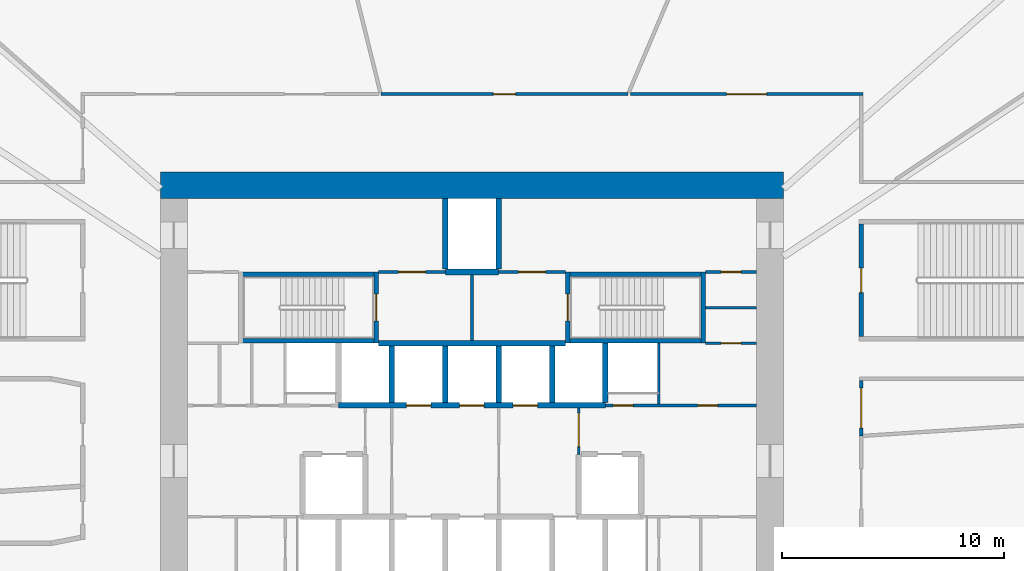
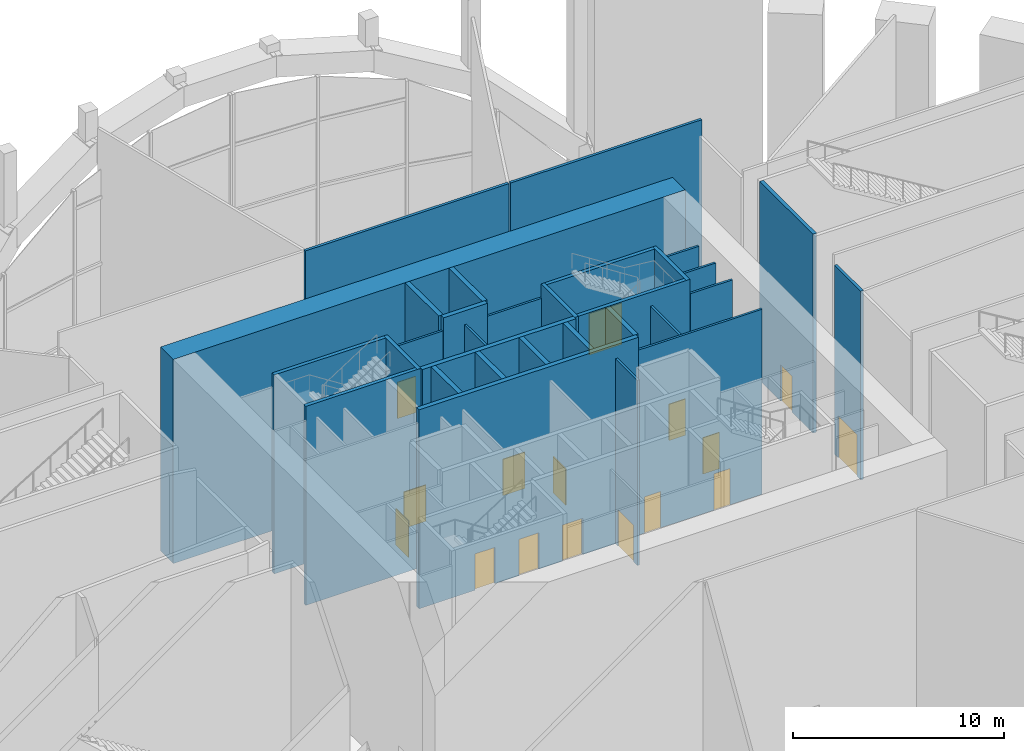
# One storey, part 10 of 21: 31 walls, 16 doors, 16 openings.
"""IFC4 building model written with IfcOpenShell, lengths in metres."""

from ifc_helpers import new_model, si_unit, direction, frame, frame_2d, origin, place, context, subcontext, project, spatial, rectangle, extrude, source, transform, mapped, material, layer, layer_set, type_object, element, fill, save


model = new_model("IFC4")

# Units and contexts
model_context = context("Model", 3, precision=1e-05, world=origin(), true_north=direction((0.0, 1.0)))
body_context = subcontext(model_context, "Body", "Model", "MODEL_VIEW")
ifc_project = project(units=[si_unit("LENGTHUNIT", "METRE"), si_unit("AREAUNIT", "SQUARE_METRE"), si_unit("VOLUMEUNIT", "CUBIC_METRE"), si_unit("PLANEANGLEUNIT", "RADIAN"), si_unit("MASSUNIT", "GRAM", prefix="KILO")], contexts=[model_context])

# Site, building, storey
site_placement = place(None, origin())
site = spatial("IfcSite", under=ifc_project, at=site_placement, CompositionType="ELEMENT")
building_placement = place(site_placement, origin())
building = spatial("IfcBuilding", under=site, at=building_placement, Name="Embergate Tower", CompositionType="ELEMENT")
storey_placement = place(building_placement, frame((0.0, 0.0, 12.0)))
storey = spatial("IfcBuildingStorey", under=building, at=storey_placement, Name="L01", CompositionType="ELEMENT", Elevation=12.0)

# Walls
ifc_material_1 = material(Name="Concrete C80", Category="concrete")
ifc_layer_1 = layer(ifc_material_1, 1.199951171875)
ifc_layer_set_1 = layer_set([ifc_layer_1], Name="Concrete C80")
wall_type_1 = type_object("IfcWallType", Name="Core outer wall C80 1200", PredefinedType="SHEAR", material=ifc_layer_set_1)
shared_shape_1 = source(origin(), body_context, "Body", "SweptSolid", [
    extrude(rectangle(XDim=28.0, YDim=1.199951171875, at=frame_2d((14.0, 0.0))), origin(), (0.0, 0.0, 1.0), 11.800048828125),
])
wall_1_placement = place(storey_placement, frame((-14.0, 12.39990234375, -0.300048828125), z_axis=(0.0, 0.0, 1.0), x_axis=(1.0, 0.0, 0.0)))
element("IfcWall", 1, at=wall_1_placement, inside=storey, type_object=wall_type_1, Name="CW-L01-N", PredefinedType="SHEAR", context=body_context, shape_type="MappedRepresentation", body=[
    mapped(shared_shape_1, transform((0.0, 0.0, 0.0))),
])
ifc_material_2 = material(Name="Concrete C50", Category="concrete")
ifc_layer_2 = layer(ifc_material_2, 0.25)
ifc_layer_set_2 = layer_set([ifc_layer_2], Name="Concrete C50")
wall_type_2 = type_object("IfcWallType", Name="Hoistway wall reinforced concrete 250", PredefinedType="SHEAR", material=ifc_layer_set_2)
shared_shape_2 = source(origin(), body_context, "Body", "SweptSolid", [
    extrude(rectangle(XDim=2.675048828125, YDim=0.25, at=frame_2d((1.33740234375, 0.0))), origin(), (0.0, 0.0, 1.0), 11.5),
])
wall_2_placement = place(storey_placement, frame((6.0, 2.625, 0.0), z_axis=(0.0, 0.0, 1.0), x_axis=(0.0, 1.0, 0.0)))
element("IfcWall", 2, at=wall_2_placement, inside=storey, type_object=wall_type_2, Name="HW-1 wall", PredefinedType="SHEAR", context=body_context, shape_type="MappedRepresentation", body=[
    mapped(shared_shape_2, transform((0.0, 0.0, 0.0))),
])

# Wall, openings, doors
ifc_material_3 = material(Name="Core partition blockwork 120")
ifc_layer_3 = layer(ifc_material_3, 0.1201171875)
ifc_layer_set_3 = layer_set([ifc_layer_3], Name="Core partition blockwork 120")
wall_type_3 = type_object("IfcWallType", Name="Core partition blockwork 120", PredefinedType="PARTITIONING", material=ifc_layer_set_3)
shared_shape_3 = source(origin(), body_context, "Body", "SweptSolid", [
    extrude(rectangle(XDim=6.800048828125, YDim=0.1201171875, at=frame_2d((3.39990234375, 0.0))), origin(), (0.0, 0.0, 1.0), 10.699951171875),
])
wall_3_placement = place(storey_placement, frame((6.0, 2.5, 0.0), z_axis=(0.0, 0.0, 1.0), x_axis=(1.0, 0.0, 0.0)))
wall_3 = element("IfcWall", 3, at=wall_3_placement, inside=storey, type_object=wall_type_3, Name="IP-3 wall", PredefinedType="PARTITIONING", context=body_context, shape_type="MappedRepresentation", body=[
    mapped(shared_shape_3, transform((0.0, 0.0, 0.0))),
])
shared_shape_4 = source(origin(), body_context, "Body", "SweptSolid", [
    extrude(rectangle(XDim=0.89990234375, YDim=2.10009765625, at=frame_2d((0.449951171875, 1.050048828125))), frame((0.0, 0.070068359375, 0.0), z_axis=(0.0, -1.0, 0.0), x_axis=(1.0, 0.0, 0.0)), (0.0, 0.0, 1.0), 0.14013671875),
])
opening_1_placement = place(wall_3_placement, frame((0.35009765625, 0.0, 0.0)))
opening_1 = element("IfcOpeningElement", 4, at=opening_1_placement, cuts=wall_3, Name="Opening ID-1", PredefinedType="OPENING", context=body_context, shape_type="MappedRepresentation", body=[
    mapped(shared_shape_4, transform((0.0, 0.0, 0.0))),
])
opening_2_placement = place(wall_3_placement, frame((4.14990234375, 0.0, 0.0)))
opening_2 = element("IfcOpeningElement", 5, at=opening_2_placement, cuts=wall_3, Name="Opening ID-1", PredefinedType="OPENING", context=body_context, shape_type="MappedRepresentation", body=[
    mapped(shared_shape_4, transform((0.0, 0.0, 0.0))),
])
ifc_material_4 = material(Name="Interior door 900")
door_type_1 = type_object("IfcDoorType", Name="Interior door 900", OperationType="SINGLE_SWING_LEFT", PredefinedType="DOOR", material=ifc_material_4)
shared_shape_5 = source(origin(), body_context, "Body", "SweptSolid", [
    extrude(rectangle(XDim=0.89990234375, YDim=2.10009765625, at=frame_2d((0.449951171875, 1.050048828125))), frame((0.0, 0.02490234375, 0.0), z_axis=(0.0, -1.0, 0.0), x_axis=(1.0, 0.0, 0.0)), (0.0, 0.0, 1.0), 0.050048828125),
])
door_1_placement = place(opening_1_placement, origin())
door_1 = element("IfcDoor", 6, at=door_1_placement, inside=storey, type_object=door_type_1, Name="ID-1 door", OperationType="SINGLE_SWING_RIGHT", OverallHeight=2.10009765625, OverallWidth=0.89990234375, PredefinedType="DOOR", context=body_context, shape_type="MappedRepresentation", body=[
    mapped(shared_shape_5, transform((0.0, 0.0, 0.0))),
])
fill(opening_1, door_1)
door_2_placement = place(opening_2_placement, origin())
door_2 = element("IfcDoor", 7, at=door_2_placement, inside=storey, type_object=door_type_1, Name="ID-1 door", OperationType="SINGLE_SWING_LEFT", OverallHeight=2.10009765625, OverallWidth=0.89990234375, PredefinedType="DOOR", context=body_context, shape_type="MappedRepresentation", body=[
    mapped(shared_shape_5, transform((0.0, 0.0, 0.0))),
])
fill(opening_2, door_2)

# Walls
ifc_layer_4 = layer(ifc_material_2, 0.199951171875)
ifc_layer_set_4 = layer_set([ifc_layer_4], Name="Concrete C50")
wall_type_4 = type_object("IfcWallType", Name="Stair enclosure wall reinforced concrete 250", PredefinedType="SHEAR", material=ifc_layer_set_4)
shared_shape_6 = source(origin(), body_context, "Body", "SweptSolid", [
    extrude(rectangle(XDim=6.300048828125, YDim=0.199951171875, at=frame_2d((3.14990234375, 0.0))), origin(), (0.0, 0.0, 1.0), 11.5),
])
for number, where, z_axis, x_axis, name in (
    (8, (-4.199951171875, 5.39990234375, 0.0), (0.0, 0.0, 1.0), (-1.0, 0.0, 0.0), "SE-1 wall"),
    (9, (10.5, 5.39990234375, 0.0), (0.0, 0.0, 1.0), (-1.0, 0.0, 0.0), "SE-1 wall"),
    (10, (-4.199951171875, 8.39990234375, 0.0), (0.0, 0.0, 1.0), (-1.0, 0.0, 0.0), "SE-1 wall"),
    (11, (10.5, 8.39990234375, 0.0), (0.0, 0.0, 1.0), (-1.0, 0.0, 0.0), "SE-1 wall"),
):
    element("IfcWall", number, at=place(storey_placement, frame(where, z_axis=z_axis, x_axis=x_axis)), inside=storey, type_object=wall_type_4, Name=name, PredefinedType="SHEAR", context=body_context, shape_type="MappedRepresentation", body=[
        mapped(shared_shape_6, transform((0.0, 0.0, 0.0))),
    ])
shared_shape_7 = source(origin(), body_context, "Body", "SweptSolid", [
    extrude(rectangle(XDim=2.739990234375, YDim=0.1201171875, at=frame_2d((1.3701171875, 0.0))), origin(), (0.0, 0.0, 1.0), 10.699951171875),
])
wall_4_placement = place(storey_placement, frame((8.39990234375, 2.56005859375, 0.0), z_axis=(0.0, 0.0, 1.0), x_axis=(0.0, 1.0, 0.0)))
element("IfcWall", 12, at=wall_4_placement, inside=storey, type_object=wall_type_3, Name="IP-3 wall", PredefinedType="PARTITIONING", context=body_context, shape_type="MappedRepresentation", body=[
    mapped(shared_shape_7, transform((0.0, 0.0, 0.0))),
])
shared_shape_8 = source(origin(), body_context, "Body", "SweptSolid", [
    extrude(rectangle(XDim=2.550048828125, YDim=0.25, at=frame_2d((1.27490234375, 0.0))), origin(), (0.0, 0.0, 1.0), 11.5),
])
for number, where, z_axis, x_axis, name in (
    (13, (-3.60009765625, 2.625, 0.0), (0.0, 0.0, 1.0), (0.0, 1.0, 0.0), "HW-1 wall"),
    (14, (-1.199951171875, 2.625, 0.0), (0.0, 0.0, 1.0), (0.0, 1.0, 0.0), "HW-1 wall"),
    (15, (1.199951171875, 2.625, 0.0), (0.0, 0.0, 1.0), (0.0, 1.0, 0.0), "HW-1 wall"),
    (16, (3.60009765625, 2.625, 0.0), (0.0, 0.0, 1.0), (0.0, 1.0, 0.0), "HW-1 wall"),
):
    element("IfcWall", number, at=place(storey_placement, frame(where, z_axis=z_axis, x_axis=x_axis)), inside=storey, type_object=wall_type_2, Name=name, PredefinedType="SHEAR", context=body_context, shape_type="MappedRepresentation", body=[
        mapped(shared_shape_8, transform((0.0, 0.0, 0.0))),
    ])

# Wall, openings, doors
shared_shape_9 = source(origin(), body_context, "Body", "SweptSolid", [
    extrude(rectangle(XDim=12.0, YDim=0.25, at=frame_2d((6.0, 0.0))), origin(), (0.0, 0.0, 1.0), 11.5),
])
wall_5_placement = place(storey_placement, frame((-6.0, 2.5, 0.0), z_axis=(0.0, 0.0, 1.0), x_axis=(1.0, 0.0, 0.0)))
wall_5 = element("IfcWall", 17, at=wall_5_placement, inside=storey, type_object=wall_type_2, Name="HW-1 wall", PredefinedType="SHEAR", context=body_context, shape_type="MappedRepresentation", body=[
    mapped(shared_shape_9, transform((0.0, 0.0, 0.0))),
])
shared_shape_10 = source(origin(), body_context, "Body", "SweptSolid", [
    extrude(rectangle(XDim=1.10009765625, YDim=2.10009765625, at=frame_2d((0.550048828125, 1.050048828125))), frame((0.0, 0.135009765625, 0.0), z_axis=(0.0, -1.0, 0.0), x_axis=(1.0, 0.0, 0.0)), (0.0, 0.0, 1.0), 0.27001953125),
])
opening_3_placement = place(wall_5_placement, frame((3.050048828125, 0.0, 0.0)))
opening_3 = element("IfcOpeningElement", 18, at=opening_3_placement, cuts=wall_5, Name="Opening LD", PredefinedType="OPENING", context=body_context, shape_type="MappedRepresentation", body=[
    mapped(shared_shape_10, transform((0.0, 0.0, 0.0))),
])
opening_4_placement = place(wall_5_placement, frame((5.449951171875, 0.0, 0.0)))
opening_4 = element("IfcOpeningElement", 19, at=opening_4_placement, cuts=wall_5, Name="Opening LD", PredefinedType="OPENING", context=body_context, shape_type="MappedRepresentation", body=[
    mapped(shared_shape_10, transform((0.0, 0.0, 0.0))),
])
opening_5_placement = place(wall_5_placement, frame((7.85009765625, 0.0, 0.0)))
opening_5 = element("IfcOpeningElement", 20, at=opening_5_placement, cuts=wall_5, Name="Opening LD", PredefinedType="OPENING", context=body_context, shape_type="MappedRepresentation", body=[
    mapped(shared_shape_10, transform((0.0, 0.0, 0.0))),
])
ifc_material_5 = material(Name="Landing door sliding 1100")
door_type_2 = type_object("IfcDoorType", Name="Landing door sliding 1100", OperationType="SLIDING_TO_LEFT", PredefinedType="DOOR", material=ifc_material_5)
shared_shape_11 = source(origin(), body_context, "Body", "SweptSolid", [
    extrude(rectangle(XDim=1.10009765625, YDim=2.10009765625, at=frame_2d((0.550048828125, 1.050048828125))), frame((0.0, 0.02490234375, 0.0), z_axis=(0.0, -1.0, 0.0), x_axis=(1.0, 0.0, 0.0)), (0.0, 0.0, 1.0), 0.050048828125),
])
door_3_placement = place(opening_3_placement, origin())
door_3 = element("IfcDoor", 21, at=door_3_placement, inside=storey, type_object=door_type_2, Name="LD door", OperationType="SLIDING_TO_RIGHT", OverallHeight=2.10009765625, OverallWidth=1.10009765625, PredefinedType="DOOR", context=body_context, shape_type="MappedRepresentation", body=[
    mapped(shared_shape_11, transform((0.0, 0.0, 0.0))),
])
fill(opening_3, door_3)
door_4_placement = place(opening_4_placement, origin())
door_4 = element("IfcDoor", 22, at=door_4_placement, inside=storey, type_object=door_type_2, Name="LD door", OperationType="SLIDING_TO_RIGHT", OverallHeight=2.10009765625, OverallWidth=1.10009765625, PredefinedType="DOOR", context=body_context, shape_type="MappedRepresentation", body=[
    mapped(shared_shape_11, transform((0.0, 0.0, 0.0))),
])
fill(opening_4, door_4)
door_5_placement = place(opening_5_placement, origin())
door_5 = element("IfcDoor", 23, at=door_5_placement, inside=storey, type_object=door_type_2, Name="LD door", OperationType="SLIDING_TO_LEFT", OverallHeight=2.10009765625, OverallWidth=1.10009765625, PredefinedType="DOOR", context=body_context, shape_type="MappedRepresentation", body=[
    mapped(shared_shape_11, transform((0.0, 0.0, 0.0))),
])
fill(opening_5, door_5)

# Wall
shared_shape_12 = source(origin(), body_context, "Body", "SweptSolid", [
    extrude(rectangle(XDim=8.39990234375, YDim=0.25, at=frame_2d((4.199951171875, 0.0))), origin(), (0.0, 0.0, 1.0), 11.5),
])
wall_6_placement = place(storey_placement, frame((4.199951171875, 5.300048828125, 0.0), z_axis=(0.0, 0.0, 1.0), x_axis=(-1.0, 0.0, 0.0)))
element("IfcWall", 24, at=wall_6_placement, inside=storey, type_object=wall_type_2, Name="HW-1 wall", PredefinedType="SHEAR", context=body_context, shape_type="MappedRepresentation", body=[
    mapped(shared_shape_12, transform((0.0, 0.0, 0.0))),
])

# Wall, opening, door
shared_shape_13 = source(origin(), body_context, "Body", "SweptSolid", [
    extrude(rectangle(XDim=2.074951171875, YDim=0.1201171875, at=frame_2d((1.03759765625, 0.0))), origin(), (0.0, 0.0, 1.0), 10.699951171875),
])
wall_7_placement = place(storey_placement, frame((4.800048828125, 0.300048828125, 0.0), z_axis=(0.0, 0.0, 1.0), x_axis=(0.0, 1.0, 0.0)))
wall_7 = element("IfcWall", 25, at=wall_7_placement, inside=storey, type_object=wall_type_3, Name="IP-3 wall", PredefinedType="PARTITIONING", context=body_context, shape_type="MappedRepresentation", body=[
    mapped(shared_shape_13, transform((0.0, 0.0, 0.0))),
])
shared_shape_14 = source(origin(), body_context, "Body", "SweptSolid", [
    extrude(rectangle(XDim=1.5, YDim=2.10009765625, at=frame_2d((0.75, 1.050048828125))), frame((0.0, 0.070068359375, 0.0), z_axis=(0.0, -1.0, 0.0), x_axis=(1.0, 0.0, 0.0)), (0.0, 0.0, 1.0), 0.14013671875),
])
opening_6_placement = place(wall_7_placement, frame((0.35009765625, 0.0, 0.0)))
opening_6 = element("IfcOpeningElement", 26, at=opening_6_placement, cuts=wall_7, Name="Opening IF-3", PredefinedType="OPENING", context=body_context, shape_type="MappedRepresentation", body=[
    mapped(shared_shape_14, transform((0.0, 0.0, 0.0))),
])
ifc_material_6 = material(Name="Lobby fire door pair 1500")
door_type_3 = type_object("IfcDoorType", Name="Lobby fire door pair 1500", OperationType="DOUBLE_DOOR_SINGLE_SWING", PredefinedType="DOOR", material=ifc_material_6)
shared_shape_15 = source(origin(), body_context, "Body", "SweptSolid", [
    extrude(rectangle(XDim=1.5, YDim=2.10009765625, at=frame_2d((0.75, 1.050048828125))), frame((0.0, 0.02490234375, 0.0), z_axis=(0.0, -1.0, 0.0), x_axis=(1.0, 0.0, 0.0)), (0.0, 0.0, 1.0), 0.050048828125),
])
door_6_placement = place(opening_6_placement, origin())
door_6 = element("IfcDoor", 27, at=door_6_placement, inside=storey, type_object=door_type_3, Name="IF-3 door", OperationType="DOUBLE_DOOR_SINGLE_SWING", OverallHeight=2.10009765625, OverallWidth=1.5, PredefinedType="DOOR", context=body_context, shape_type="MappedRepresentation", body=[
    mapped(shared_shape_15, transform((0.0, 0.0, 0.0))),
])
fill(opening_6, door_6)

shared_shape_16 = source(origin(), body_context, "Body", "SweptSolid", [
    extrude(rectangle(XDim=3.199951171875, YDim=0.199951171875, at=frame_2d((1.60009765625, 0.0))), origin(), (0.0, 0.0, 1.0), 11.5),
])
wall_8_placement = place(storey_placement, frame((-4.300048828125, 5.300048828125, 0.0), z_axis=(0.0, 0.0, 1.0), x_axis=(0.0, 1.0, 0.0)))
wall_8 = element("IfcWall", 28, at=wall_8_placement, inside=storey, type_object=wall_type_4, Name="SE-1 wall", PredefinedType="SHEAR", context=body_context, shape_type="MappedRepresentation", body=[
    mapped(shared_shape_16, transform((0.0, 0.0, 0.0))),
])
shared_shape_17 = source(origin(), body_context, "Body", "SweptSolid", [
    extrude(rectangle(XDim=1.199951171875, YDim=2.10009765625, at=frame_2d((0.60009765625, 1.050048828125))), frame((0.0, 0.10986328125, 0.0), z_axis=(0.0, -1.0, 0.0), x_axis=(1.0, 0.0, 0.0)), (0.0, 0.0, 1.0), 0.219970703125),
])
opening_7_placement = place(wall_8_placement, frame((1.0, 0.0, 0.0)))
opening_7 = element("IfcOpeningElement", 29, at=opening_7_placement, cuts=wall_8, Name="Opening IF-2", PredefinedType="OPENING", context=body_context, shape_type="MappedRepresentation", body=[
    mapped(shared_shape_17, transform((0.0, 0.0, 0.0))),
])
ifc_material_7 = material(Name="Stair enclosure door 1200")
door_type_4 = type_object("IfcDoorType", Name="Stair enclosure door 1200", OperationType="SINGLE_SWING_LEFT", PredefinedType="DOOR", material=ifc_material_7)
shared_shape_18 = source(origin(), body_context, "Body", "SweptSolid", [
    extrude(rectangle(XDim=1.199951171875, YDim=2.10009765625, at=frame_2d((0.60009765625, 1.050048828125))), frame((0.0, 0.02490234375, 0.0), z_axis=(0.0, -1.0, 0.0), x_axis=(1.0, 0.0, 0.0)), (0.0, 0.0, 1.0), 0.050048828125),
])
door_7_placement = place(opening_7_placement, origin())
door_7 = element("IfcDoor", 30, at=door_7_placement, inside=storey, type_object=door_type_4, Name="IF-2 door", OperationType="SINGLE_SWING_RIGHT", OverallHeight=2.10009765625, OverallWidth=1.199951171875, PredefinedType="DOOR", context=body_context, shape_type="MappedRepresentation", body=[
    mapped(shared_shape_18, transform((0.0, 0.0, 0.0))),
])
fill(opening_7, door_7)

wall_9_placement = place(storey_placement, frame((4.300048828125, 8.5, 0.0), z_axis=(0.0, 0.0, 1.0), x_axis=(0.0, -1.0, 0.0)))
wall_9 = element("IfcWall", 31, at=wall_9_placement, inside=storey, type_object=wall_type_4, Name="SE-1 wall", PredefinedType="SHEAR", context=body_context, shape_type="MappedRepresentation", body=[
    mapped(shared_shape_16, transform((0.0, 0.0, 0.0))),
])
opening_8_placement = place(wall_9_placement, frame((1.0, 0.0, 0.0)))
opening_8 = element("IfcOpeningElement", 32, at=opening_8_placement, cuts=wall_9, Name="Opening IF-2", PredefinedType="OPENING", context=body_context, shape_type="MappedRepresentation", body=[
    mapped(shared_shape_17, transform((0.0, 0.0, 0.0))),
])
door_8_placement = place(opening_8_placement, origin())
door_8 = element("IfcDoor", 33, at=door_8_placement, inside=storey, type_object=door_type_4, Name="IF-2 door", OperationType="SINGLE_SWING_LEFT", OverallHeight=2.10009765625, OverallWidth=1.199951171875, PredefinedType="DOOR", context=body_context, shape_type="MappedRepresentation", body=[
    mapped(shared_shape_18, transform((0.0, 0.0, 0.0))),
])
fill(opening_8, door_8)

# Walls
wall_10_placement = place(storey_placement, frame((10.39990234375, 5.300048828125, 0.0), z_axis=(0.0, 0.0, 1.0), x_axis=(0.0, 1.0, 0.0)))
element("IfcWall", 34, at=wall_10_placement, inside=storey, type_object=wall_type_4, Name="SE-1 wall", PredefinedType="SHEAR", context=body_context, shape_type="MappedRepresentation", body=[
    mapped(shared_shape_16, transform((0.0, 0.0, 0.0))),
])
shared_shape_19 = source(origin(), body_context, "Body", "SweptSolid", [
    extrude(rectangle(XDim=2.949951171875, YDim=0.1201171875, at=frame_2d((1.47509765625, 0.0))), origin(), (0.0, 0.0, 1.0), 10.699951171875),
])
wall_11_placement = place(storey_placement, frame((0.0, 5.425048828125, 0.0), z_axis=(0.0, 0.0, 1.0), x_axis=(0.0, 1.0, 0.0)))
element("IfcWall", 35, at=wall_11_placement, inside=storey, type_object=wall_type_3, Name="IP-3 wall", PredefinedType="PARTITIONING", context=body_context, shape_type="MappedRepresentation", body=[
    mapped(shared_shape_19, transform((0.0, 0.0, 0.0))),
])

# Wall, opening, door
shared_shape_20 = source(origin(), body_context, "Body", "SweptSolid", [
    extrude(rectangle(XDim=3.0, YDim=0.1201171875, at=frame_2d((1.5, 0.0))), origin(), (0.0, 0.0, 1.0), 10.699951171875),
])
wall_12_placement = place(storey_placement, frame((-1.199951171875, 8.5, 0.0), z_axis=(0.0, 0.0, 1.0), x_axis=(-1.0, 0.0, 0.0)))
wall_12 = element("IfcWall", 36, at=wall_12_placement, inside=storey, type_object=wall_type_3, Name="IP-3 wall", PredefinedType="PARTITIONING", context=body_context, shape_type="MappedRepresentation", body=[
    mapped(shared_shape_20, transform((0.0, 0.0, 0.0))),
])
shared_shape_21 = source(origin(), body_context, "Body", "SweptSolid", [
    extrude(rectangle(XDim=1.199951171875, YDim=2.10009765625, at=frame_2d((0.60009765625, 1.050048828125))), frame((0.0, 0.070068359375, 0.0), z_axis=(0.0, -1.0, 0.0), x_axis=(1.0, 0.0, 0.0)), (0.0, 0.0, 1.0), 0.14013671875),
])
opening_9_placement = place(wall_12_placement, frame((0.89990234375, 0.0, 0.0)))
opening_9 = element("IfcOpeningElement", 37, at=opening_9_placement, cuts=wall_12, Name="Opening IF-3f", PredefinedType="OPENING", context=body_context, shape_type="MappedRepresentation", body=[
    mapped(shared_shape_21, transform((0.0, 0.0, 0.0))),
])
ifc_material_8 = material(Name="Lobby fire door pair 1200")
door_type_5 = type_object("IfcDoorType", Name="Lobby fire door pair 1200", OperationType="DOUBLE_DOOR_SINGLE_SWING", PredefinedType="DOOR", material=ifc_material_8)
door_9_placement = place(opening_9_placement, origin())
door_9 = element("IfcDoor", 38, at=door_9_placement, inside=storey, type_object=door_type_5, Name="IF-3 door", OperationType="DOUBLE_DOOR_SINGLE_SWING", OverallHeight=2.10009765625, OverallWidth=1.199951171875, PredefinedType="DOOR", context=body_context, shape_type="MappedRepresentation", body=[
    mapped(shared_shape_18, transform((0.0, 0.0, 0.0))),
])
fill(opening_9, door_9)

wall_13_placement = place(storey_placement, frame((4.199951171875, 8.5, 0.0), z_axis=(0.0, 0.0, 1.0), x_axis=(-1.0, 0.0, 0.0)))
wall_13 = element("IfcWall", 39, at=wall_13_placement, inside=storey, type_object=wall_type_3, Name="IP-3 wall", PredefinedType="PARTITIONING", context=body_context, shape_type="MappedRepresentation", body=[
    mapped(shared_shape_20, transform((0.0, 0.0, 0.0))),
])
opening_10_placement = place(wall_13_placement, frame((0.89990234375, 0.0, 0.0)))
opening_10 = element("IfcOpeningElement", 40, at=opening_10_placement, cuts=wall_13, Name="Opening IF-3f", PredefinedType="OPENING", context=body_context, shape_type="MappedRepresentation", body=[
    mapped(shared_shape_21, transform((0.0, 0.0, 0.0))),
])
door_10_placement = place(opening_10_placement, origin())
door_10 = element("IfcDoor", 41, at=door_10_placement, inside=storey, type_object=door_type_5, Name="IF-3 door", OperationType="DOUBLE_DOOR_SINGLE_SWING", OverallHeight=2.10009765625, OverallWidth=1.199951171875, PredefinedType="DOOR", context=body_context, shape_type="MappedRepresentation", body=[
    mapped(shared_shape_18, transform((0.0, 0.0, 0.0))),
])
fill(opening_10, door_10)

# Walls
shared_shape_22 = source(origin(), body_context, "Body", "SweptSolid", [
    extrude(rectangle(XDim=2.39990234375, YDim=0.25, at=frame_2d((1.199951171875, 0.0))), origin(), (0.0, 0.0, 1.0), 11.5),
])
wall_14_placement = place(storey_placement, frame((1.199951171875, 8.5, 0.0), z_axis=(0.0, 0.0, 1.0), x_axis=(-1.0, 0.0, 0.0)))
element("IfcWall", 42, at=wall_14_placement, inside=storey, type_object=wall_type_2, Name="HW-1 wall", PredefinedType="SHEAR", context=body_context, shape_type="MappedRepresentation", body=[
    mapped(shared_shape_22, transform((0.0, 0.0, 0.0))),
])
shared_shape_23 = source(origin(), body_context, "Body", "SweptSolid", [
    extrude(rectangle(XDim=3.175048828125, YDim=0.25, at=frame_2d((1.58740234375, 0.0))), origin(), (0.0, 0.0, 1.0), 11.5),
])
for number, where, z_axis, x_axis, name in (
    (43, (-1.199951171875, 8.625, 0.0), (0.0, 0.0, 1.0), (0.0, 1.0, 0.0), "HW-1 wall"),
    (44, (1.199951171875, 11.800048828125, 0.0), (0.0, 0.0, 1.0), (0.0, -1.0, 0.0), "HW-1 wall"),
):
    element("IfcWall", number, at=place(storey_placement, frame(where, z_axis=z_axis, x_axis=x_axis)), inside=storey, type_object=wall_type_2, Name=name, PredefinedType="SHEAR", context=body_context, shape_type="MappedRepresentation", body=[
        mapped(shared_shape_23, transform((0.0, 0.0, 0.0))),
    ])

# Wall, opening, door
shared_shape_24 = source(origin(), body_context, "Body", "SweptSolid", [
    extrude(rectangle(XDim=2.300048828125, YDim=0.1201171875, at=frame_2d((1.14990234375, 0.0))), origin(), (0.0, 0.0, 1.0), 10.699951171875),
])
wall_15_placement = place(storey_placement, frame((10.5, 8.5, 0.0), z_axis=(0.0, 0.0, 1.0), x_axis=(1.0, 0.0, 0.0)))
wall_15 = element("IfcWall", 45, at=wall_15_placement, inside=storey, type_object=wall_type_3, Name="IP-3 wall", PredefinedType="PARTITIONING", context=body_context, shape_type="MappedRepresentation", body=[
    mapped(shared_shape_24, transform((0.0, 0.0, 0.0))),
])
opening_11_placement = place(wall_15_placement, frame((0.699951171875, 0.0, 0.0)))
opening_11 = element("IfcOpeningElement", 46, at=opening_11_placement, cuts=wall_15, Name="Opening ID-1", PredefinedType="OPENING", context=body_context, shape_type="MappedRepresentation", body=[
    mapped(shared_shape_4, transform((0.0, 0.0, 0.0))),
])
door_11_placement = place(opening_11_placement, origin())
door_11 = element("IfcDoor", 47, at=door_11_placement, inside=storey, type_object=door_type_1, Name="ID-1 door", OperationType="SINGLE_SWING_LEFT", OverallHeight=2.10009765625, OverallWidth=0.89990234375, PredefinedType="DOOR", context=body_context, shape_type="MappedRepresentation", body=[
    mapped(shared_shape_5, transform((0.0, 0.0, 0.0))),
])
fill(opening_11, door_11)

wall_16_placement = place(storey_placement, frame((12.800048828125, 5.300048828125, 0.0), z_axis=(0.0, 0.0, 1.0), x_axis=(-1.0, 0.0, 0.0)))
wall_16 = element("IfcWall", 48, at=wall_16_placement, inside=storey, type_object=wall_type_3, Name="IP-3 wall", PredefinedType="PARTITIONING", context=body_context, shape_type="MappedRepresentation", body=[
    mapped(shared_shape_24, transform((0.0, 0.0, 0.0))),
])
opening_12_placement = place(wall_16_placement, frame((0.699951171875, 0.0, 0.0)))
opening_12 = element("IfcOpeningElement", 49, at=opening_12_placement, cuts=wall_16, Name="Opening ID-1", PredefinedType="OPENING", context=body_context, shape_type="MappedRepresentation", body=[
    mapped(shared_shape_4, transform((0.0, 0.0, 0.0))),
])
door_12_placement = place(opening_12_placement, origin())
door_12 = element("IfcDoor", 50, at=door_12_placement, inside=storey, type_object=door_type_1, Name="ID-1 door", OperationType="SINGLE_SWING_LEFT", OverallHeight=2.10009765625, OverallWidth=0.89990234375, PredefinedType="DOOR", context=body_context, shape_type="MappedRepresentation", body=[
    mapped(shared_shape_5, transform((0.0, 0.0, 0.0))),
])
fill(opening_12, door_12)

# Wall
wall_17_placement = place(storey_placement, frame((12.800048828125, 6.89990234375, 0.0), z_axis=(0.0, 0.0, 1.0), x_axis=(-1.0, 0.0, 0.0)))
element("IfcWall", 51, at=wall_17_placement, inside=storey, type_object=wall_type_3, Name="IP-3 wall", PredefinedType="PARTITIONING", context=body_context, shape_type="MappedRepresentation", body=[
    mapped(shared_shape_24, transform((0.0, 0.0, 0.0))),
])

# Wall, opening, door
ifc_material_9 = material(Name="Concrete C40", Category="concrete")
ifc_layer_5 = layer(ifc_material_9, 0.199951171875)
ifc_layer_set_5 = layer_set([ifc_layer_5], Name="Concrete C40")
wall_type_5 = type_object("IfcWallType", Name="Stair enclosure wall RC 200", PredefinedType="STANDARD", material=ifc_layer_set_5)
shared_shape_25 = source(origin(), body_context, "Body", "SweptSolid", [
    extrude(rectangle(XDim=5.0498046875, YDim=0.199951171875, at=frame_2d((2.52490234375, 0.0))), origin(), (0.0, 0.0, 1.0), 11.5),
])
wall_18_placement = place(storey_placement, frame((17.5, 10.64990234375, 0.0), z_axis=(0.0, 0.0, 1.0), x_axis=(0.0, -1.0, 0.0)))
wall_18 = element("IfcWall", 52, at=wall_18_placement, inside=storey, type_object=wall_type_5, Name="Stair wall 053", PredefinedType="STANDARD", context=body_context, shape_type="MappedRepresentation", body=[
    mapped(shared_shape_25, transform((0.0, 0.0, 0.0))),
])
shared_shape_26 = source(origin(), body_context, "Body", "SweptSolid", [
    extrude(rectangle(XDim=1.10009765625, YDim=2.10009765625, at=frame_2d((0.550048828125, 1.050048828125))), frame((0.0, 0.10986328125, 0.0), z_axis=(0.0, -1.0, 0.0), x_axis=(1.0, 0.0, 0.0)), (0.0, 0.0, 1.0), 0.219970703125),
])
opening_13_placement = place(wall_18_placement, frame((1.97509765625, 0.0, 0.0)))
opening_13 = element("IfcOpeningElement", 53, at=opening_13_placement, cuts=wall_18, Name="Opening DS-042", PredefinedType="OPENING", context=body_context, shape_type="MappedRepresentation", body=[
    mapped(shared_shape_26, transform((0.0, 0.0, 0.0))),
])
ifc_material_10 = material(Name="Steel fire door leaf", Category="steel")
door_type_6 = type_object("IfcDoorType", Name="Fire door class B 1100x2100", OperationType="SINGLE_SWING_LEFT", PredefinedType="DOOR", material=ifc_material_10)
shared_shape_27 = source(origin(), body_context, "Body", "SweptSolid", [
    extrude(rectangle(XDim=1.10009765625, YDim=2.10009765625, at=frame_2d((0.550048828125, 1.050048828125))), frame((0.0, 0.02490234375, 0.0), z_axis=(0.0, -1.0, 0.0), x_axis=(1.0, 0.0, 0.0)), (0.0, 0.0, 1.0), 0.050048828125),
])
door_13_placement = place(opening_13_placement, origin())
door_13 = element("IfcDoor", 54, at=door_13_placement, inside=storey, type_object=door_type_6, Name="Door to Exit stair enclosure", OperationType="SINGLE_SWING_LEFT", OverallHeight=2.10009765625, OverallWidth=1.10009765625, PredefinedType="DOOR", context=body_context, shape_type="MappedRepresentation", body=[
    mapped(shared_shape_27, transform((0.0, 0.0, 0.0))),
])
fill(opening_13, door_13)

ifc_material_11 = material(Name="Plasterboard on steel stud", Category="steel")
ifc_layer_6 = layer(ifc_material_11, 0.14990234375)
ifc_layer_set_6 = layer_set([ifc_layer_6], Name="Plasterboard on steel stud")
wall_type_6 = type_object("IfcWallType", Name="Partition wall 150 board", PredefinedType="PARTITIONING", material=ifc_layer_set_6)
shared_shape_28 = source(origin(), body_context, "Body", "SweptSolid", [
    extrude(rectangle(XDim=11.1181640625, YDim=0.14990234375, at=frame_2d((5.55908203125, 0.0))), origin(), (0.0, 0.0, 1.0), 11.5),
])
wall_19_placement = place(storey_placement, frame((-4.10009765625, 16.5, 0.0), z_axis=(0.0, 0.0, 1.0), x_axis=(1.0, 0.0, 0.0)))
wall_19 = element("IfcWall", 55, at=wall_19_placement, inside=storey, type_object=wall_type_6, Name="Partition 037", PredefinedType="PARTITIONING", context=body_context, shape_type="MappedRepresentation", body=[
    mapped(shared_shape_28, transform((0.0, 0.0, 0.0))),
])
shared_shape_29 = source(origin(), body_context, "Body", "SweptSolid", [
    extrude(rectangle(XDim=1.0, YDim=2.10009765625, at=frame_2d((0.5, 1.050048828125))), frame((0.0, 0.0849609375, 0.0), z_axis=(0.0, -1.0, 0.0), x_axis=(1.0, 0.0, 0.0)), (0.0, 0.0, 1.0), 0.169921875),
])
opening_14_placement = place(wall_19_placement, frame((5.05908203125, 0.0, 0.0)))
opening_14 = element("IfcOpeningElement", 56, at=opening_14_placement, cuts=wall_19, Name="Opening DS-025", PredefinedType="OPENING", context=body_context, shape_type="MappedRepresentation", body=[
    mapped(shared_shape_29, transform((0.0, 0.0, 0.0))),
])
ifc_material_12 = material(Name="Timber door leaf, steel frame", Category="steel")
door_type_7 = type_object("IfcDoorType", Name="Single door 1000x2100", OperationType="SINGLE_SWING_LEFT", PredefinedType="DOOR", material=ifc_material_12)
shared_shape_30 = source(origin(), body_context, "Body", "SweptSolid", [
    extrude(rectangle(XDim=1.0, YDim=2.10009765625, at=frame_2d((0.5, 1.050048828125))), frame((0.0, 0.02490234375, 0.0), z_axis=(0.0, -1.0, 0.0), x_axis=(1.0, 0.0, 0.0)), (0.0, 0.0, 1.0), 0.050048828125),
])
door_14_placement = place(opening_14_placement, origin())
door_14 = element("IfcDoor", 57, at=door_14_placement, inside=storey, type_object=door_type_7, Name="Door to Catering kitchen", OperationType="SINGLE_SWING_LEFT", OverallHeight=2.10009765625, OverallWidth=1.0, PredefinedType="DOOR", context=body_context, shape_type="MappedRepresentation", body=[
    mapped(shared_shape_30, transform((0.0, 0.0, 0.0))),
])
fill(opening_14, door_14)

shared_shape_31 = source(origin(), body_context, "Body", "SweptSolid", [
    extrude(rectangle(XDim=10.45703125, YDim=0.14990234375, at=frame_2d((5.228515625, 0.0))), origin(), (0.0, 0.0, 1.0), 11.5),
])
wall_20_placement = place(storey_placement, frame((7.117919921875, 16.5, 0.0), z_axis=(0.0, 0.0, 1.0), x_axis=(1.0, 0.0, 0.0)))
wall_20 = element("IfcWall", 58, at=wall_20_placement, inside=storey, type_object=wall_type_6, Name="Partition 041", PredefinedType="PARTITIONING", context=body_context, shape_type="MappedRepresentation", body=[
    mapped(shared_shape_31, transform((0.0, 0.0, 0.0))),
])
shared_shape_32 = source(origin(), body_context, "Body", "SweptSolid", [
    extrude(rectangle(XDim=1.800048828125, YDim=2.39990234375, at=frame_2d((0.89990234375, 1.199951171875))), frame((0.0, 0.0849609375, 0.0), z_axis=(0.0, -1.0, 0.0), x_axis=(1.0, 0.0, 0.0)), (0.0, 0.0, 1.0), 0.169921875),
])
opening_15_placement = place(wall_20_placement, frame((4.327880859375, 0.0, 0.0)))
opening_15 = element("IfcOpeningElement", 59, at=opening_15_placement, cuts=wall_20, Name="Opening DS-024", PredefinedType="OPENING", context=body_context, shape_type="MappedRepresentation", body=[
    mapped(shared_shape_32, transform((0.0, 0.0, 0.0))),
])
door_type_8 = type_object("IfcDoorType", Name="Double door 1800x2400", OperationType="DOUBLE_DOOR_SINGLE_SWING", PredefinedType="DOOR", material=ifc_material_12)
shared_shape_33 = source(origin(), body_context, "Body", "SweptSolid", [
    extrude(rectangle(XDim=1.800048828125, YDim=2.39990234375, at=frame_2d((0.89990234375, 1.199951171875))), frame((0.0, 0.02490234375, 0.0), z_axis=(0.0, -1.0, 0.0), x_axis=(1.0, 0.0, 0.0)), (0.0, 0.0, 1.0), 0.050048828125),
])
door_15_placement = place(opening_15_placement, origin())
door_15 = element("IfcDoor", 60, at=door_15_placement, inside=storey, type_object=door_type_8, Name="Door to Cafe", OperationType="SINGLE_SWING_LEFT", OverallHeight=2.39990234375, OverallWidth=1.800048828125, PredefinedType="DOOR", context=body_context, shape_type="MappedRepresentation", body=[
    mapped(shared_shape_33, transform((0.0, 0.0, 0.0))),
])
fill(opening_15, door_15)

shared_shape_34 = source(origin(), body_context, "Body", "SweptSolid", [
    extrude(rectangle(XDim=2.498046875, YDim=0.14990234375, at=frame_2d((1.2490234375, 0.0))), origin(), (0.0, 0.0, 1.0), 10.912109375),
])
wall_21_placement = place(storey_placement, frame((17.5, 3.625, 0.0), z_axis=(0.0, 0.0, 1.0), x_axis=(0.0, -1.0, 0.0)))
wall_21 = element("IfcWall", 61, at=wall_21_placement, inside=storey, type_object=wall_type_6, Name="Partition 050", PredefinedType="PARTITIONING", context=body_context, shape_type="MappedRepresentation", body=[
    mapped(shared_shape_34, transform((0.0, 0.0, 0.0))),
])
opening_16_placement = place(wall_21_placement, frame((0.34912109375, 0.0, 0.0)))
opening_16 = element("IfcOpeningElement", 62, at=opening_16_placement, cuts=wall_21, Name="Opening DS-021", PredefinedType="OPENING", context=body_context, shape_type="MappedRepresentation", body=[
    mapped(shared_shape_32, transform((0.0, 0.0, 0.0))),
])
door_16_placement = place(opening_16_placement, origin())
door_16 = element("IfcDoor", 63, at=door_16_placement, inside=storey, type_object=door_type_8, Name="Door to Restaurant", OperationType="SINGLE_SWING_LEFT", OverallHeight=2.39990234375, OverallWidth=1.800048828125, PredefinedType="DOOR", context=body_context, shape_type="MappedRepresentation", body=[
    mapped(shared_shape_33, transform((0.0, 0.0, 0.0))),
])
fill(opening_16, door_16)

save(model, "model.ifc")
